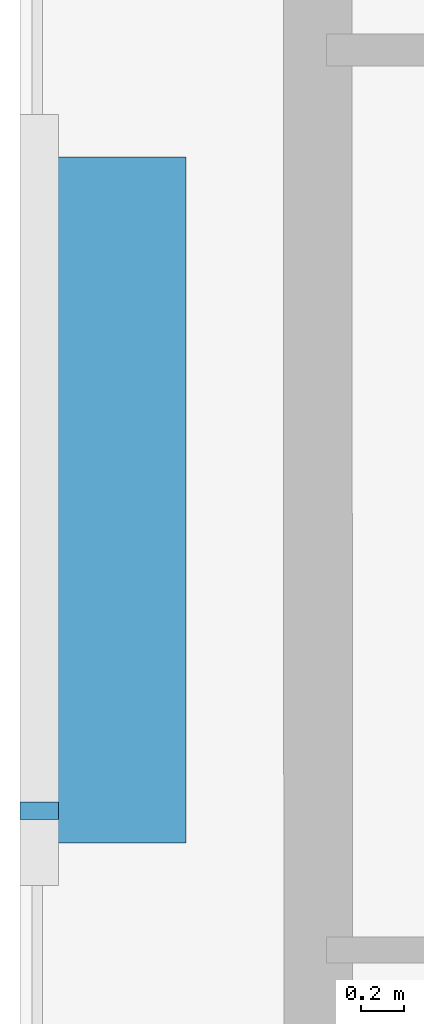
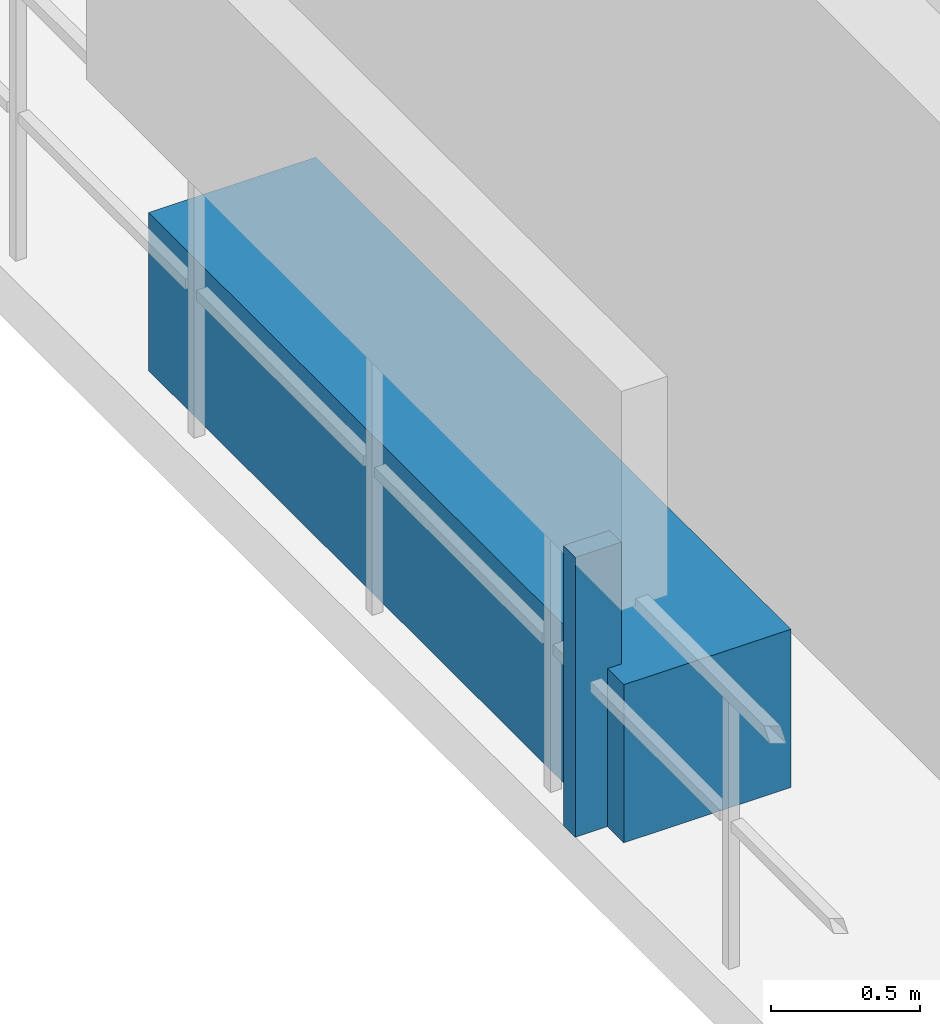
# One storey, part 26 of 31: 2 discrete accessories.
"""IFC4 building model written with IfcOpenShell, lengths in metres."""

from ifc_helpers import new_model, si_unit, direction, frame, origin, origin_2d, place, context, subcontext, project, spatial, rectangle, extrude, material, type_object, element, save


model = new_model("IFC4")

# Units and contexts
model_context = context("Model", 3, precision=1e-05, world=origin(), true_north=direction((0.0, 1.0)))
body_context = subcontext(model_context, "Body", "Model", "MODEL_VIEW")
ifc_project = project(units=[si_unit("LENGTHUNIT", "METRE"), si_unit("AREAUNIT", "SQUARE_METRE"), si_unit("VOLUMEUNIT", "CUBIC_METRE"), si_unit("PLANEANGLEUNIT", "RADIAN"), si_unit("MASSUNIT", "GRAM", prefix="KILO")], contexts=[model_context])

# Site, building, storey
site_placement = place(None, origin())
site = spatial("IfcSite", under=ifc_project, at=site_placement, CompositionType="ELEMENT")
building_placement = place(site_placement, origin())
building = spatial("IfcBuilding", under=site, at=building_placement, Name="Thornwick Lancets Civic Towers", CompositionType="ELEMENT")
storey_placement = place(building_placement, frame((0.0, 0.0, 233.10009765625)))
storey = spatial("IfcBuildingStorey", under=building, at=storey_placement, Name="L62", CompositionType="ELEMENT", Elevation=233.10009765625)

# Discrete accessories
ifc_material_1 = material(Name="Planted terracotta greenery planter", Category="masonry")
discrete_accessory_type_1 = type_object("IfcDiscreteAccessoryType", Name="ACC_PLANTER_BOX", PredefinedType="USERDEFINED", material=ifc_material_1)
discrete_accessory_1_placement = place(storey_placement, frame((0.800048828125, 27.0, 0.0), z_axis=(0.0, 0.0, 1.0), x_axis=(1.0, 0.0, 0.0)))
element("IfcDiscreteAccessory", 1, at=discrete_accessory_1_placement, inside=storey, type_object=discrete_accessory_type_1, Name="L62 Tower A Balcony Greenery Planter W", ObjectType="PLANTER", PredefinedType="USERDEFINED", context=body_context, shape_type="SweptSolid", body=[
    extrude(rectangle(XDim=0.64990234375, YDim=3.199951171875, at=origin_2d()), origin(), (0.0, 0.0, 1.0), 0.64990234375),
])
ifc_material_2 = material(Name="Stainless steel S355", Category="steel")
discrete_accessory_type_2 = type_object("IfcDiscreteAccessoryType", Name="ACC_SCREEN_BRACKET", PredefinedType="BRACKET", material=ifc_material_2)
discrete_accessory_2_placement = place(storey_placement, frame((0.43994140625, 25.550048828125, 0.0), z_axis=(0.0, 0.0, 1.0), x_axis=(0.0, 1.0, 0.0)))
element("IfcDiscreteAccessory", 2, at=discrete_accessory_2_placement, inside=storey, type_object=discrete_accessory_type_2, Name="L62 Tower A Balcony Screen Stanchion Bracket W-1", PredefinedType="BRACKET", context=body_context, shape_type="SweptSolid", body=[
    extrude(rectangle(XDim=0.080078125, YDim=0.179931640625, at=origin_2d()), origin(), (0.0, 0.0, 1.0), 1.14990234375),
])

save(model, "model.ifc")
